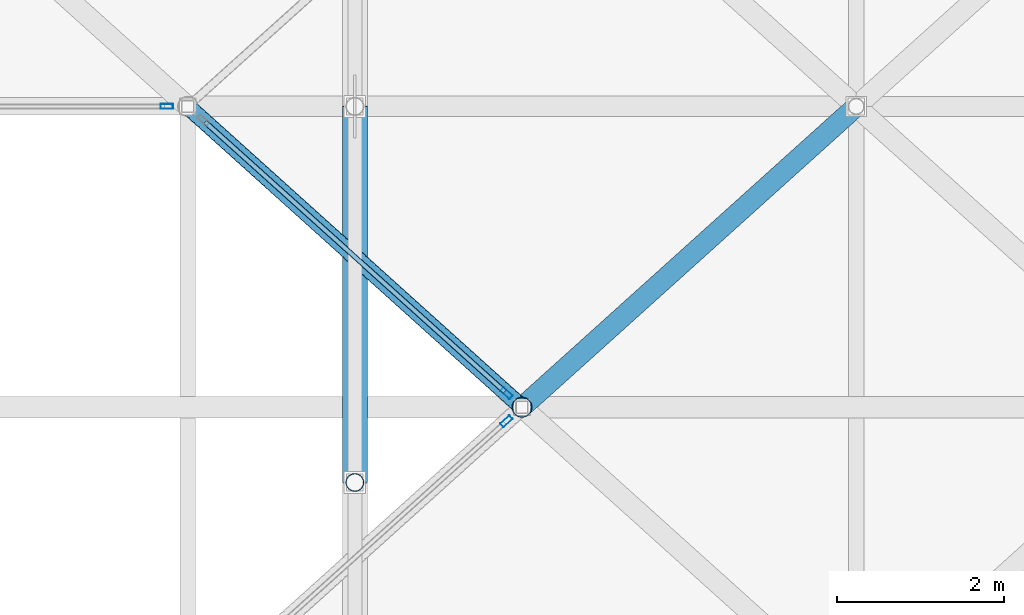
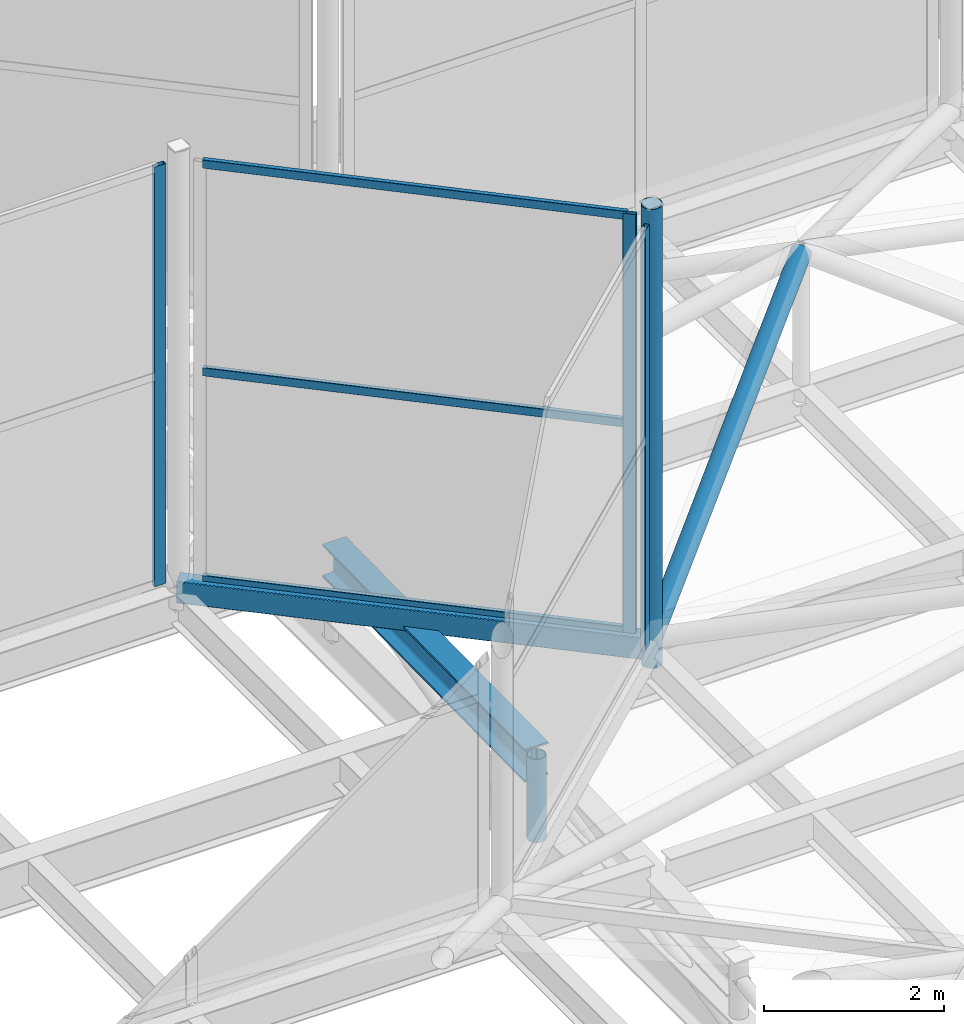
# One storey, part 76 of 239: 9 members, 2 beams, 3 elements without a shape of their own.
"""IFC4 building model written with IfcOpenShell, lengths in metres."""

from ifc_helpers import new_model, si_unit, direction, frame, origin, origin_2d, place, context, subcontext, project, spatial, hollow_rectangle, hollow_circle, i_section, extrude, material, layer, layer_set, material_profile, profile_set, type_object, element, aggregate, save


model = new_model("IFC4")

# Units and contexts
model_context = context("Model", 3, precision=1e-05, world=origin(), true_north=direction((0.0, 1.0)))
body_context = subcontext(model_context, "Body", "Model", "MODEL_VIEW")
ifc_project = project(units=[si_unit("LENGTHUNIT", "METRE"), si_unit("AREAUNIT", "SQUARE_METRE"), si_unit("VOLUMEUNIT", "CUBIC_METRE"), si_unit("PLANEANGLEUNIT", "RADIAN"), si_unit("MASSUNIT", "GRAM", prefix="KILO")], contexts=[model_context])

# Site, building, storey
site_placement = place(None, origin())
site = spatial("IfcSite", under=ifc_project, at=site_placement, CompositionType="ELEMENT")
building_placement = place(site_placement, origin())
building = spatial("IfcBuilding", under=site, at=building_placement, Name="Dunvalen Ferry Terminal", CompositionType="ELEMENT")
storey_placement = place(building_placement, frame((0.0, 0.0, 9.840087890625)))
storey = spatial("IfcBuildingStorey", under=building, at=storey_placement, Name="L02", CompositionType="ELEMENT", Elevation=9.840087890625)

# Curtain wall, member
ifc_material_1 = material(Name="Anodised marine aluminium and solar-control glazing", Category="aluminium")
ifc_layer_1 = layer(ifc_material_1, 0.179931640625, Name="Anodised marine aluminium and solar-control glazing")
ifc_layer_set_1 = layer_set([ifc_layer_1], Name="Anodised marine aluminium and solar-control glazing")
curtain_wall_type_1 = type_object("IfcCurtainWallType", Name="ENV-CW-SYS-05", PredefinedType="NOTDEFINED", material=ifc_layer_set_1)
curtain_wall_1_placement = place(storey_placement, origin())
curtain_wall_1 = element("IfcCurtainWall", 1, at=curtain_wall_1_placement, inside=storey, type_object=curtain_wall_type_1, Name="L02 Curtain Wall CW-HEX-14-SK-3", PredefinedType="NOTDEFINED")
ifc_material_2 = material(Name="Anodised marine aluminium EN AW-6063 T6", Category="aluminium")
ifc_material_profile_1 = material_profile(ifc_material_2, hollow_rectangle(XDim=0.06005859375, YDim=0.14990234375, WallThickness=0.00341796875, InnerFilletRadius=0.00341796875, OuterFilletRadius=0.007080078125, at=origin_2d()), Name="Anodised marine aluminium EN AW-6063 T6")
ifc_profile_set_1 = profile_set([ifc_material_profile_1], Name="Anodised marine aluminium EN AW-6063 T6")
member_type_1 = type_object("IfcMemberType", Name="ENV-CW-MUL-3", PredefinedType="MULLION", material=ifc_profile_set_1)
member_1_placement = place(storey_placement, frame((37.814208984375, 64.6328125, 1.139892578125), z_axis=(0.0, 0.0, 1.0), x_axis=(-0.668953550894, 0.74330420875, 0.0)))
member_1 = element("IfcMember", 2, at=member_1_placement, type_object=member_type_1, Name="CW-05 mullion 2", PredefinedType="MULLION", context=body_context, shape_type="SweptSolid", body=[
    extrude(hollow_rectangle(XDim=0.06005859375, YDim=0.14990234375, WallThickness=0.00341796875, InnerFilletRadius=0.00341796875, OuterFilletRadius=0.007080078125, at=origin_2d()), origin(), (0.0, 0.0, 1.0), 5.699951171875),
])
aggregate(curtain_wall_1, [member_1])

ifc_layer_2 = layer(ifc_material_1, 0.179931640625, Name="Anodised marine aluminium and solar-control glazing")
ifc_layer_set_2 = layer_set([ifc_layer_2], Name="Anodised marine aluminium and solar-control glazing")
curtain_wall_type_2 = type_object("IfcCurtainWallType", Name="ENV-CW-SYS-06", PredefinedType="NOTDEFINED", material=ifc_layer_set_2)
curtain_wall_2_placement = place(storey_placement, origin())
curtain_wall_2 = element("IfcCurtainWall", 3, at=curtain_wall_2_placement, inside=storey, type_object=curtain_wall_type_2, Name="L02 Curtain Wall CW-HEX-14-SK-4", PredefinedType="NOTDEFINED")
member_2_placement = place(storey_placement, frame((37.814208984375, 64.96728515625, 1.139892578125), z_axis=(0.0, 0.0, 1.0), x_axis=(-0.668953550894, -0.74330420875, 0.0)))
member_2 = element("IfcMember", 4, at=member_2_placement, type_object=member_type_1, Name="CW-06 mullion 1", PredefinedType="MULLION", context=body_context, shape_type="SweptSolid", body=[
    extrude(hollow_rectangle(XDim=0.06005859375, YDim=0.14990234375, WallThickness=0.00341796875, InnerFilletRadius=0.00341796875, OuterFilletRadius=0.007080078125, at=origin_2d()), origin(), (0.0, 0.0, 1.0), 5.699951171875),
])

curtain_wall_3_placement = place(storey_placement, origin())
curtain_wall_3 = element("IfcCurtainWall", 5, at=curtain_wall_3_placement, inside=storey, type_object=curtain_wall_type_1, Name="L02 Curtain Wall CW-HEX-14-SK-5", PredefinedType="NOTDEFINED")
member_3_placement = place(storey_placement, frame((33.75, 68.39990234375, 1.139892578125), z_axis=(0.0, 0.0, 1.0), x_axis=(0.0, -1.0, 0.0)))
member_3 = element("IfcMember", 6, at=member_3_placement, type_object=member_type_1, Name="CW-05 mullion 1", PredefinedType="MULLION", context=body_context, shape_type="SweptSolid", body=[
    extrude(hollow_rectangle(XDim=0.06005859375, YDim=0.14990234375, WallThickness=0.00341796875, InnerFilletRadius=0.00341796875, OuterFilletRadius=0.007080078125, at=origin_2d()), origin(), (0.0, 0.0, 1.0), 5.699951171875),
])
aggregate(curtain_wall_3, [member_3])

# Member
ifc_material_profile_2 = material_profile(ifc_material_2, hollow_rectangle(XDim=0.06005859375, YDim=0.114990234375, WallThickness=0.0029296875, InnerFilletRadius=0.0029296875, OuterFilletRadius=0.006103515625, at=origin_2d()), Name="Anodised marine aluminium EN AW-6063 T6")
ifc_profile_set_2 = profile_set([ifc_material_profile_2], Name="Anodised marine aluminium EN AW-6063 T6")
member_type_2 = type_object("IfcMemberType", Name="ENV-CW-TRN-3", PredefinedType="USERDEFINED", material=ifc_profile_set_2)
member_4_placement = place(storey_placement, frame((37.7919921875, 64.9873046875, 1.169921875), z_axis=(-0.743319323261, 0.668936756104, 0.0), x_axis=(-0.668936756104, -0.743319323261, 0.0)))
member_4 = element("IfcMember", 7, at=member_4_placement, type_object=member_type_2, Name="CW-06 transom 1.1", ObjectType="TRANSOM", PredefinedType="USERDEFINED", context=body_context, shape_type="SweptSolid", body=[
    extrude(hollow_rectangle(XDim=0.06005859375, YDim=0.114990234375, WallThickness=0.0029296875, InnerFilletRadius=0.0029296875, OuterFilletRadius=0.006103515625, at=origin_2d()), origin(), (0.0, 0.0, 1.0), 4.821533203125),
])

member_5_placement = place(storey_placement, frame((37.7919921875, 64.9873046875, 3.989990234375), z_axis=(-0.743319323261, 0.668936756104, 0.0), x_axis=(-0.668936756104, -0.743319323261, 0.0)))
member_5 = element("IfcMember", 8, at=member_5_placement, type_object=member_type_2, Name="CW-06 transom 1.2", ObjectType="TRANSOM", PredefinedType="USERDEFINED", context=body_context, shape_type="SweptSolid", body=[
    extrude(hollow_rectangle(XDim=0.06005859375, YDim=0.114990234375, WallThickness=0.0029296875, InnerFilletRadius=0.0029296875, OuterFilletRadius=0.006103515625, at=origin_2d()), origin(), (0.0, 0.0, 1.0), 4.821533203125),
])

member_6_placement = place(storey_placement, frame((37.7919921875, 64.9873046875, 6.809814453125), z_axis=(-0.743319323261, 0.668936756104, 0.0), x_axis=(-0.668936756104, -0.743319323261, 0.0)))
member_6 = element("IfcMember", 9, at=member_6_placement, type_object=member_type_2, Name="CW-06 transom 1.3", ObjectType="TRANSOM", PredefinedType="USERDEFINED", context=body_context, shape_type="SweptSolid", body=[
    extrude(hollow_rectangle(XDim=0.06005859375, YDim=0.114990234375, WallThickness=0.0029296875, InnerFilletRadius=0.0029296875, OuterFilletRadius=0.006103515625, at=origin_2d()), origin(), (0.0, 0.0, 1.0), 4.821533203125),
])

aggregate(curtain_wall_2, [member_2, member_4, member_5, member_6])

# Beams
ifc_material_3 = material(Name="Steel S355", Category="steel")
ifc_material_profile_3 = material_profile(ifc_material_3, i_section(OverallWidth=0.300048828125, OverallDepth=0.449951171875, WebThickness=0.013916015625, FlangeThickness=0.02587890625, FilletRadius=0.027099609375, at=origin_2d()), Name="Steel S355")
ifc_profile_set_3 = profile_set([ifc_material_profile_3], Name="Steel S355")
beam_type_1 = type_object("IfcBeamType", Name="STR-BM-HEB450", PredefinedType="BEAM", material=ifc_profile_set_3)
beam_1_placement = place(storey_placement, frame((36.0, 63.89990234375, 0.65869140625), z_axis=(0.0, 0.999907293085, 0.01361635908), x_axis=(-1.0, 0.0, 0.0)))
element("IfcBeam", 10, at=beam_1_placement, inside=storey, type_object=beam_type_1, Name="Departure Hall Tied-Arch Rib 03.4", PredefinedType="BEAM", context=body_context, shape_type="SweptSolid", body=[
    extrude(i_section(OverallWidth=0.300048828125, OverallDepth=0.449951171875, WebThickness=0.013916015625, FlangeThickness=0.02587890625, FilletRadius=0.027099609375, at=origin_2d()), origin(), (0.0, 0.0, 1.0), 4.50048828125),
])
ifc_material_profile_4 = material_profile(ifc_material_3, hollow_rectangle(XDim=0.199951171875, YDim=0.300048828125, WallThickness=0.010009765625, InnerFilletRadius=0.010009765625, OuterFilletRadius=0.02001953125, at=origin_2d()), Name="Steel S355")
ifc_profile_set_4 = profile_set([ifc_material_profile_4], Name="Steel S355")
beam_type_2 = type_object("IfcBeamType", Name="STR-BM-RHS300", PredefinedType="BEAM", material=ifc_profile_set_4)
beam_2_placement = place(storey_placement, frame((38.0, 64.800048828125, 1.0), z_axis=(-0.74330768127, 0.668949692402, 0.0), x_axis=(-0.668949692402, -0.74330768127, 0.0)))
element("IfcBeam", 11, at=beam_2_placement, inside=storey, type_object=beam_type_2, Name="HEX-14 Lantern Curb Ring Beam 4", PredefinedType="BEAM", context=body_context, shape_type="SweptSolid", body=[
    extrude(hollow_rectangle(XDim=0.199951171875, YDim=0.300048828125, WallThickness=0.010009765625, InnerFilletRadius=0.010009765625, OuterFilletRadius=0.02001953125, at=origin_2d()), origin(), (0.0, 0.0, 1.0), 5.38134765625),
])

# Members
ifc_material_profile_5 = material_profile(ifc_material_3, hollow_circle(Radius=0.109619140625, WallThickness=0.010009765625, at=origin_2d()), Name="Steel S355")
ifc_profile_set_5 = profile_set([ifc_material_profile_5], Name="Steel S355")
member_type_3 = type_object("IfcMemberType", Name="STR-MB-CHS219", PredefinedType="STRUT", material=ifc_profile_set_5)
member_7_placement = place(storey_placement, frame((36.0, 63.89990234375, -0.360107421875), z_axis=(0.0, 0.0, 1.0), x_axis=(1.0, 0.0, 0.0)))
element("IfcMember", 12, at=member_7_placement, inside=storey, type_object=member_type_3, Name="Departure Hall Arch Spandrel Strut 03.3", PredefinedType="STRUT", context=body_context, shape_type="SweptSolid", body=[
    extrude(hollow_circle(Radius=0.109619140625, WallThickness=0.010009765625, at=origin_2d()), origin(), (0.0, 0.0, 1.0), 1.130126953125),
])
ifc_material_profile_6 = material_profile(ifc_material_3, hollow_circle(Radius=0.122314453125, WallThickness=0.010009765625, at=origin_2d()), Name="Steel S355")
ifc_profile_set_6 = profile_set([ifc_material_profile_6], Name="Steel S355")
member_type_4 = type_object("IfcMemberType", Name="STR-MB-CHS244", PredefinedType="STRUT", material=ifc_profile_set_6)
member_8_placement = place(storey_placement, frame((38.0, 64.800048828125, 0.77001953125), z_axis=(0.0, 0.0, 1.0), x_axis=(1.0, 0.0, 0.0)))
element("IfcMember", 13, at=member_8_placement, inside=storey, type_object=member_type_4, Name="HEX-14 Skylight Lantern Corner Strut 4", PredefinedType="STRUT", context=body_context, shape_type="SweptSolid", body=[
    extrude(hollow_circle(Radius=0.122314453125, WallThickness=0.010009765625, at=origin_2d()), origin(), (0.0, 0.0, 1.0), 6.22998046875),
])
member_9_placement = place(storey_placement, frame((38.0, 64.800048828125, 1.099853515625), z_axis=(0.710094348105, 0.639058908863, 0.295583706914), x_axis=(-0.668949692402, 0.74330768127, 0.0)))
element("IfcMember", 14, at=member_9_placement, inside=storey, type_object=member_type_4, Name="HEX-20 Pyramid Hip Rafter 2", PredefinedType="STRUT", context=body_context, shape_type="SweptSolid", body=[
    extrude(hollow_circle(Radius=0.122314453125, WallThickness=0.010009765625, at=origin_2d()), origin(), (0.0, 0.0, 1.0), 5.633056640625),
])

save(model, "model.ifc")
